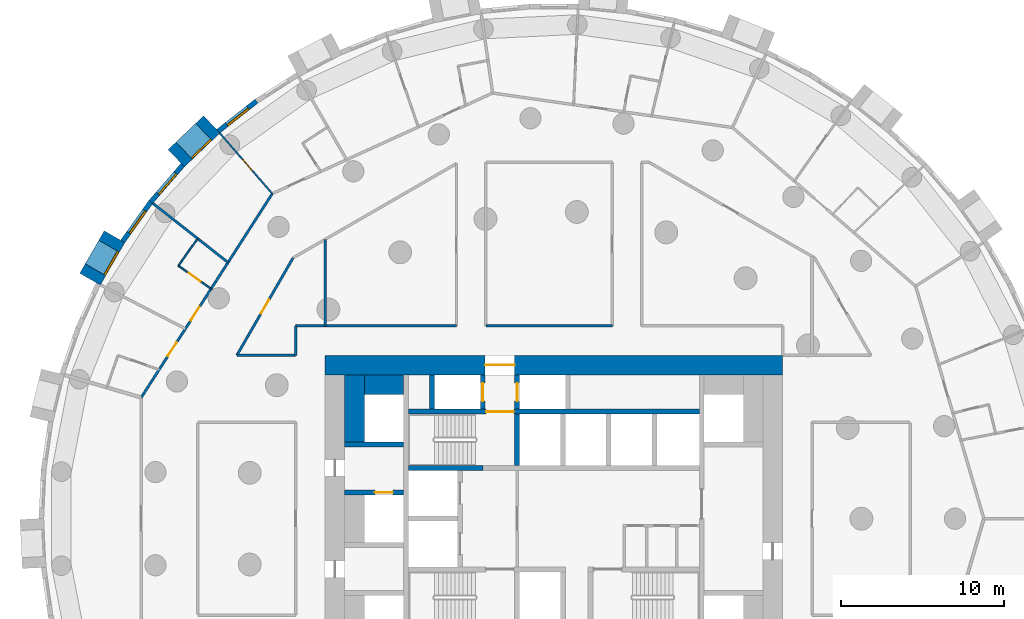
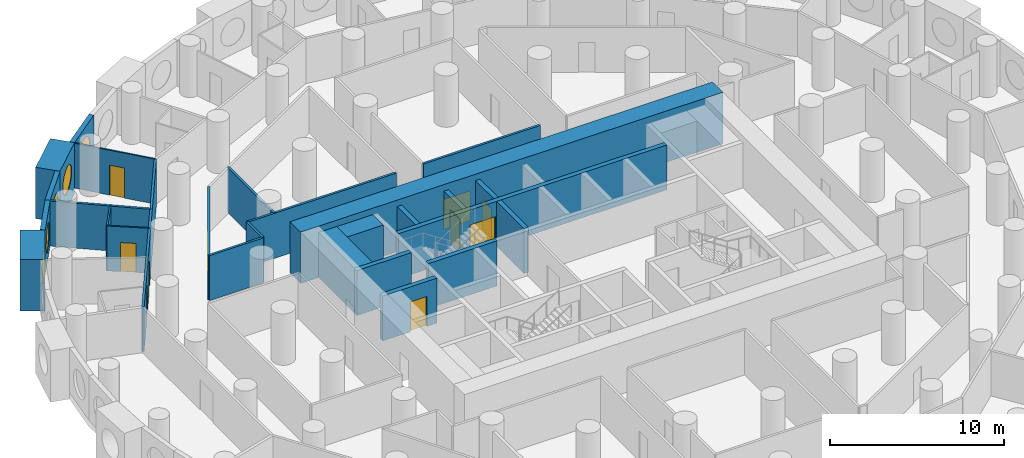
# One storey, part 7 of 12: 27 walls, 10 doors, 5 windows, 15 openings.
"""IFC4 building model written with IfcOpenShell, lengths in metres."""

from ifc_helpers import new_model, si_unit, direction, frame, frame_2d, origin, origin_2d, place, context, subcontext, project, spatial, rectangle, circle, extrude, material, layer, layer_set, type_object, element, fill, save


model = new_model("IFC4")

# Units and contexts
model_context = context("Model", 3, precision=1e-05, world=origin(), true_north=direction((0.0, 1.0)))
body_context = subcontext(model_context, "Body", "Model", "MODEL_VIEW")
ifc_project = project(units=[si_unit("LENGTHUNIT", "METRE"), si_unit("AREAUNIT", "SQUARE_METRE"), si_unit("VOLUMEUNIT", "CUBIC_METRE"), si_unit("PLANEANGLEUNIT", "RADIAN"), si_unit("MASSUNIT", "GRAM", prefix="KILO")], contexts=[model_context])

# Site, building, storey
site_placement = place(None, origin())
site = spatial("IfcSite", under=ifc_project, at=site_placement, CompositionType="ELEMENT")
building_placement = place(site_placement, origin())
building = spatial("IfcBuilding", under=site, at=building_placement, Name="Tracery Tower", CompositionType="ELEMENT")
storey_placement = place(building_placement, frame((0.0, 0.0, 85.800048828125)))
storey = spatial("IfcBuildingStorey", under=building, at=storey_placement, Name="L21", CompositionType="ELEMENT", Elevation=85.800048828125)

# Walls
ifc_material_1 = material(Name="Concrete C60/75", Category="concrete")
ifc_layer_1 = layer(ifc_material_1, 1.199951171875)
ifc_layer_set_1 = layer_set([ifc_layer_1], Name="Core strip wall 1200 C60")
wall_type_1 = type_object("IfcWallType", Name="Core strip wall 1200 C60", PredefinedType="SOLIDWALL", material=ifc_layer_set_1)
wall_1_placement = place(storey_placement, frame((-12.199951171875, 4.699951171875, 0.0), z_axis=(0.0, 0.0, 1.0), x_axis=(0.0, 1.0, 0.0)))
element("IfcWall", 1, at=wall_1_placement, inside=storey, type_object=wall_type_1, Name="L21 wing strip -1 4.55", PredefinedType="SOLIDWALL", context=body_context, shape_type="SweptSolid", body=[
    extrude(rectangle(XDim=4.10009765625, YDim=1.199951171875, at=frame_2d((2.050048828125, 0.0))), origin(), (0.0, 0.0, 1.0), 3.14990234375),
])
wall_2_placement = place(storey_placement, frame((-11.60009765625, 8.199951171875, 0.0), z_axis=(0.0, 0.0, 1.0), x_axis=(1.0, 0.0, 0.0)))
element("IfcWall", 2, at=wall_2_placement, inside=storey, type_object=wall_type_1, Name="L21 wing corner -1 +8.2", PredefinedType="SOLIDWALL", context=body_context, shape_type="SweptSolid", body=[
    extrude(rectangle(XDim=2.400146484375, YDim=1.199951171875, at=frame_2d((1.2001953125, 0.0))), origin(), (0.0, 0.0, 1.0), 3.14990234375),
])

# Wall, opening, door
ifc_material_2 = material(Name="Concrete C60/75", Category="concrete")
ifc_layer_2 = layer(ifc_material_2, 1.199951171875)
ifc_layer_set_2 = layer_set([ifc_layer_2], Name="Core wall 1200 C60")
wall_type_2 = type_object("IfcWallType", Name="Core wall 1200 C60", PredefinedType="SOLIDWALL", material=ifc_layer_set_2)
wall_3_placement = place(storey_placement, frame((-14.0, 9.39990234375, 0.0), z_axis=(0.0, 0.0, 1.0), x_axis=(1.0, 0.0, 0.0)))
wall_3 = element("IfcWall", 3, at=wall_3_placement, inside=storey, type_object=wall_type_2, Name="L21 outer N", PredefinedType="SOLIDWALL", context=body_context, shape_type="SweptSolid", body=[
    extrude(rectangle(XDim=28.0, YDim=1.199951171875, at=frame_2d((14.0, 0.0))), origin(), (0.0, 0.0, 1.0), 3.599853515625),
])
opening_1_placement = place(wall_3_placement, frame((9.800048828125, 0.0, 0.0)))
opening_1 = element("IfcOpeningElement", 4, at=opening_1_placement, cuts=wall_3, Name="Opening KD13", PredefinedType="OPENING", context=body_context, shape_type="SweptSolid", body=[
    extrude(rectangle(XDim=1.800048828125, YDim=2.10009765625, at=frame_2d((0.89990234375, 1.050048828125))), frame((0.0, 0.60009765625, 0.0), z_axis=(0.0, -1.0, 0.0), x_axis=(1.0, 0.0, 0.0)), (0.0, 0.0, 1.0), 1.199951171875),
])
ifc_material_3 = material(Name="Steel fire door", Category="steel")
door_type_1 = type_object("IfcDoorType", Name="Core exit door 1800 double", OperationType="NOTDEFINED", PredefinedType="DOOR", material=ifc_material_3)
door_1_placement = place(opening_1_placement, origin())
door_1 = element("IfcDoor", 5, at=door_1_placement, inside=storey, type_object=door_type_1, Name="Core exit door", OperationType="DOUBLE_DOOR_SINGLE_SWING", OverallHeight=2.10009765625, OverallWidth=1.800048828125, PredefinedType="DOOR", context=body_context, shape_type="SweptSolid", body=[
    extrude(rectangle(XDim=1.800048828125, YDim=2.10009765625, at=frame_2d((0.89990234375, 1.050048828125))), frame((0.0, 0.02490234375, 0.0), z_axis=(0.0, -1.0, 0.0), x_axis=(1.0, 0.0, 0.0)), (0.0, 0.0, 1.0), 0.050048828125),
])
fill(opening_1, door_1)

# Wall, opening, window
ifc_material_4 = material(Name="Precast concrete C50/60", Category="concrete")
ifc_layer_3 = layer(ifc_material_4, 1.449951171875)
ifc_layer_set_3 = layer_set([ifc_layer_3], Name="Deep-set bay unit 3000 x 3600, slab edge 450")
wall_type_3 = type_object("IfcWallType", Name="Deep-set bay unit 3000 x 3600, slab edge 450", PredefinedType="ELEMENTEDWALL", material=ifc_layer_set_3)
wall_4_placement = place(storey_placement, frame((-20.9375, 24.13232421875, -0.449951171875), z_axis=(0.0, 0.0, 1.0), x_axis=(-0.723712023899, -0.690102098579, 0.0)))
wall_4 = element("IfcWall", 6, at=wall_4_placement, inside=storey, type_object=wall_type_3, Name="Deep-set bay unit 25 at L21", PredefinedType="ELEMENTEDWALL", context=body_context, shape_type="SweptSolid", body=[
    extrude(rectangle(XDim=3.0, YDim=1.449951171875, at=frame_2d((1.5, 0.0))), origin(), (0.0, 0.0, 1.0), 3.599853515625),
])
opening_2_placement = place(wall_4_placement, frame((1.5, 0.0, 2.0)))
opening_2 = element("IfcOpeningElement", 7, at=opening_2_placement, cuts=wall_4, Name="Opening WN1", PredefinedType="OPENING", context=body_context, shape_type="SweptSolid", body=[
    extrude(circle(Radius=0.9000244140625, at=origin_2d()), frame((0.0, 0.73486328125, 0.0), z_axis=(0.0, -1.0, 0.0), x_axis=(1.0, 0.0, 0.0)), (0.0, 0.0, 1.0), 1.469970703125),
])
ifc_material_5 = material(Name="Aluminium frame with tinted double glazing", Category="aluminium")
window_type = type_object("IfcWindowType", Name="Round window 1800", PartitioningType="SINGLE_PANEL", PredefinedType="WINDOW", material=ifc_material_5)
window_1_placement = place(opening_2_placement, origin())
window_1 = element("IfcWindow", 8, at=window_1_placement, inside=storey, type_object=window_type, Name="Round window 25 at L21", OverallHeight=1.800048828125, OverallWidth=1.800048828125, PartitioningType="SINGLE_PANEL", PredefinedType="WINDOW", context=body_context, shape_type="SweptSolid", body=[
    extrude(circle(Radius=0.9000244140625, at=origin_2d()), frame((0.0, 0.69482421875, 0.0), z_axis=(0.0, -1.0, 0.0), x_axis=(1.0, 0.0, 0.0)), (0.0, 0.0, 1.0), 0.10009765625),
])
fill(opening_2, window_1)

wall_5_placement = place(storey_placement, frame((-26.88818359375, 17.256103515625, -0.449951171875), z_axis=(0.0, 0.0, 1.0), x_axis=(-0.499990139034, -0.866031096941, 0.0)))
wall_5 = element("IfcWall", 9, at=wall_5_placement, inside=storey, type_object=wall_type_3, Name="Deep-set bay unit 28 at L21", PredefinedType="ELEMENTEDWALL", context=body_context, shape_type="SweptSolid", body=[
    extrude(rectangle(XDim=3.0, YDim=1.449951171875, at=frame_2d((1.5, 0.0))), origin(), (0.0, 0.0, 1.0), 3.599853515625),
])
opening_3_placement = place(wall_5_placement, frame((1.5, 0.0, 2.0)))
opening_3 = element("IfcOpeningElement", 10, at=opening_3_placement, cuts=wall_5, Name="Opening WN1", PredefinedType="OPENING", context=body_context, shape_type="SweptSolid", body=[
    extrude(circle(Radius=0.9000244140625, at=origin_2d()), frame((0.0, 0.73486328125, 0.0), z_axis=(0.0, -1.0, 0.0), x_axis=(1.0, 0.0, 0.0)), (0.0, 0.0, 1.0), 1.469970703125),
])
window_2_placement = place(opening_3_placement, origin())
window_2 = element("IfcWindow", 11, at=window_2_placement, inside=storey, type_object=window_type, Name="Round window 28 at L21", OverallHeight=1.800048828125, OverallWidth=1.800048828125, PartitioningType="SINGLE_PANEL", PredefinedType="WINDOW", context=body_context, shape_type="SweptSolid", body=[
    extrude(circle(Radius=0.9000244140625, at=origin_2d()), frame((0.0, 0.69482421875, 0.0), z_axis=(0.0, -1.0, 0.0), x_axis=(1.0, 0.0, 0.0)), (0.0, 0.0, 1.0), 0.10009765625),
])
fill(opening_3, window_2)

ifc_material_6 = material(Name="Precast concrete C50/60", Category="concrete")
ifc_layer_4 = layer(ifc_material_6, 0.300048828125)
ifc_layer_set_4 = layer_set([ifc_layer_4], Name="Facade panel 3000 x 3150")
wall_type_4 = type_object("IfcWallType", Name="Facade panel 3000 x 3150", PredefinedType="SOLIDWALL", material=ifc_layer_set_4)
wall_6_placement = place(storey_placement, frame((-18.198974609375, 25.556884765625, 0.0), z_axis=(0.0, 0.0, 1.0), x_axis=(-0.786053834673, -0.618158045322, 0.0)))
wall_6 = element("IfcWall", 12, at=wall_6_placement, inside=storey, type_object=wall_type_4, Name="Facade panel 24 at L21", PredefinedType="SOLIDWALL", context=body_context, shape_type="SweptSolid", body=[
    extrude(rectangle(XDim=2.9794921875, YDim=0.300048828125, at=frame_2d((1.48974609375, 0.0))), origin(), (0.0, 0.0, 1.0), 3.14990234375),
])
opening_4_placement = place(wall_6_placement, frame((1.48974609375, 0.0, 1.5498046875)))
opening_4 = element("IfcOpeningElement", 13, at=opening_4_placement, cuts=wall_6, Name="Opening WN1", PredefinedType="OPENING", context=body_context, shape_type="SweptSolid", body=[
    extrude(circle(Radius=0.9000244140625, at=origin_2d()), frame((0.0, 0.159912109375, 0.0), z_axis=(0.0, -1.0, 0.0), x_axis=(1.0, 0.0, 0.0)), (0.0, 0.0, 1.0), 0.320068359375),
])
window_3_placement = place(opening_4_placement, origin())
window_3 = element("IfcWindow", 14, at=window_3_placement, inside=storey, type_object=window_type, Name="Round window 24 at L21", OverallHeight=1.800048828125, OverallWidth=1.800048828125, PartitioningType="SINGLE_PANEL", PredefinedType="WINDOW", context=body_context, shape_type="SweptSolid", body=[
    extrude(circle(Radius=0.9000244140625, at=origin_2d()), frame((0.0, 0.1201171875, 0.0), z_axis=(0.0, -1.0, 0.0), x_axis=(1.0, 0.0, 0.0)), (0.0, 0.0, 1.0), 0.10009765625),
])
fill(opening_4, window_3)

wall_7_placement = place(storey_placement, frame((-22.710693359375, 21.646240234375, 0.0), z_axis=(0.0, 0.0, 1.0), x_axis=(-0.654830712471, -0.755775587066, 0.0)))
wall_7 = element("IfcWall", 15, at=wall_7_placement, inside=storey, type_object=wall_type_4, Name="Facade panel 26 at L21", PredefinedType="SOLIDWALL", context=body_context, shape_type="SweptSolid", body=[
    extrude(rectangle(XDim=2.979736328125, YDim=0.300048828125, at=frame_2d((1.48974609375, 0.0))), origin(), (0.0, 0.0, 1.0), 3.14990234375),
])
opening_5_placement = place(wall_7_placement, frame((1.48974609375, 0.0, 1.5498046875)))
opening_5 = element("IfcOpeningElement", 16, at=opening_5_placement, cuts=wall_7, Name="Opening WN1", PredefinedType="OPENING", context=body_context, shape_type="SweptSolid", body=[
    extrude(circle(Radius=0.9000244140625, at=origin_2d()), frame((0.0, 0.159912109375, 0.0), z_axis=(0.0, -1.0, 0.0), x_axis=(1.0, 0.0, 0.0)), (0.0, 0.0, 1.0), 0.320068359375),
])
window_4_placement = place(opening_5_placement, origin())
window_4 = element("IfcWindow", 17, at=window_4_placement, inside=storey, type_object=window_type, Name="Round window 26 at L21", OverallHeight=1.800048828125, OverallWidth=1.800048828125, PartitioningType="SINGLE_PANEL", PredefinedType="WINDOW", context=body_context, shape_type="SweptSolid", body=[
    extrude(circle(Radius=0.9000244140625, at=origin_2d()), frame((0.0, 0.1201171875, 0.0), z_axis=(0.0, -1.0, 0.0), x_axis=(1.0, 0.0, 0.0)), (0.0, 0.0, 1.0), 0.10009765625),
])
fill(opening_5, window_4)

wall_8_placement = place(storey_placement, frame((-24.661865234375, 19.394287109375, 0.0), z_axis=(0.0, 0.0, 1.0), x_axis=(-0.580113774115, -0.814535456, 0.0)))
wall_8 = element("IfcWall", 18, at=wall_8_placement, inside=storey, type_object=wall_type_4, Name="Facade panel 27 at L21", PredefinedType="SOLIDWALL", context=body_context, shape_type="SweptSolid", body=[
    extrude(rectangle(XDim=2.979736328125, YDim=0.300048828125, at=frame_2d((1.48974609375, 0.0))), origin(), (0.0, 0.0, 1.0), 3.14990234375),
])
opening_6_placement = place(wall_8_placement, frame((1.48974609375, 0.0, 1.5498046875)))
opening_6 = element("IfcOpeningElement", 19, at=opening_6_placement, cuts=wall_8, Name="Opening WN1", PredefinedType="OPENING", context=body_context, shape_type="SweptSolid", body=[
    extrude(circle(Radius=0.9000244140625, at=origin_2d()), frame((0.0, 0.159912109375, 0.0), z_axis=(0.0, -1.0, 0.0), x_axis=(1.0, 0.0, 0.0)), (0.0, 0.0, 1.0), 0.320068359375),
])
window_5_placement = place(opening_6_placement, origin())
window_5 = element("IfcWindow", 20, at=window_5_placement, inside=storey, type_object=window_type, Name="Round window 27 at L21", OverallHeight=1.800048828125, OverallWidth=1.800048828125, PartitioningType="SINGLE_PANEL", PredefinedType="WINDOW", context=body_context, shape_type="SweptSolid", body=[
    extrude(circle(Radius=0.9000244140625, at=origin_2d()), frame((0.0, 0.1201171875, 0.0), z_axis=(0.0, -1.0, 0.0), x_axis=(1.0, 0.0, 0.0)), (0.0, 0.0, 1.0), 0.10009765625),
])
fill(opening_6, window_5)

# Wall, opening, door
ifc_material_7 = material(Name="Plasterboard on steel studs", Category="steel")
ifc_layer_5 = layer(ifc_material_7, 0.10009765625)
ifc_layer_set_5 = layer_set([ifc_layer_5], Name="Partition 100 stud")
wall_type_5 = type_object("IfcWallType", Name="Partition 100 stud", PredefinedType="PARTITIONING", material=ifc_layer_set_5)
wall_9_placement = place(storey_placement, frame((-20.447998046875, 23.597900390625, 0.0), z_axis=(0.0, 0.0, 1.0), x_axis=(0.654847179409, -0.755761319214, 0.0)))
wall_9 = element("IfcWall", 21, at=wall_9_placement, inside=storey, type_object=wall_type_5, Name="Stud partition RA6-081", PredefinedType="PARTITIONING", context=body_context, shape_type="SweptSolid", body=[
    extrude(rectangle(XDim=4.90625, YDim=0.10009765625, at=frame_2d((2.453125, 0.0))), origin(), (0.0, 0.0, 1.0), 3.14990234375),
])
opening_7_placement = place(wall_9_placement, frame((2.1533203125, 0.0, 0.0)))
opening_7 = element("IfcOpeningElement", 22, at=opening_7_placement, cuts=wall_9, Name="Opening RA6-28", PredefinedType="OPENING", context=body_context, shape_type="SweptSolid", body=[
    extrude(rectangle(XDim=0.89990234375, YDim=2.10009765625, at=frame_2d((0.449951171875, 1.050048828125))), frame((0.0, 0.050048828125, 0.0), z_axis=(0.0, -1.0, 0.0), x_axis=(1.0, 0.0, 0.0)), (0.0, 0.0, 1.0), 0.10009765625),
])
ifc_material_8 = material(Name="Timber door leaf", Category="wood")
door_type_2 = type_object("IfcDoorType", Name="Door bedroom 900", OperationType="NOTDEFINED", PredefinedType="DOOR", material=ifc_material_8)
door_2_placement = place(opening_7_placement, origin())
door_2 = element("IfcDoor", 23, at=door_2_placement, inside=storey, type_object=door_type_2, Name="Bedroom door RA6-28", OperationType="SINGLE_SWING_LEFT", OverallHeight=2.10009765625, OverallWidth=0.89990234375, PredefinedType="DOOR", context=body_context, shape_type="SweptSolid", body=[
    extrude(rectangle(XDim=0.89990234375, YDim=2.10009765625, at=frame_2d((0.449951171875, 1.050048828125))), frame((0.0, 0.02490234375, 0.0), z_axis=(0.0, -1.0, 0.0), x_axis=(1.0, 0.0, 0.0)), (0.0, 0.0, 1.0), 0.050048828125),
])
fill(opening_7, door_2)

# Wall
ifc_material_9 = material(Name="Plasterboard on steel studs", Category="steel")
ifc_layer_6 = layer(ifc_material_9, 0.10009765625)
ifc_layer_set_6 = layer_set([ifc_layer_6], Name="Partition 100 wet wall")
wall_type_6 = type_object("IfcWallType", Name="Partition 100 wet wall", PredefinedType="PARTITIONING", material=ifc_layer_set_6)
wall_10_placement = place(storey_placement, frame((-22.97802734375, 15.486083984375, 0.0), z_axis=(0.0, 0.0, 1.0), x_axis=(0.580283748447, 0.814414373208, 0.0)))
element("IfcWall", 24, at=wall_10_placement, inside=storey, type_object=wall_type_6, Name="Wet wall RA6-085", PredefinedType="PARTITIONING", context=body_context, shape_type="SweptSolid", body=[
    extrude(rectangle(XDim=2.033447265625, YDim=0.10009765625, at=frame_2d((1.0166015625, 0.0))), origin(), (0.0, 0.0, 1.0), 3.14990234375),
])

# Wall, opening, door
wall_11_placement = place(storey_placement, frame((-22.97802734375, 15.486083984375, 0.0), z_axis=(0.0, 0.0, 1.0), x_axis=(0.814519517834, -0.580136152181, 0.0)))
wall_11 = element("IfcWall", 25, at=wall_11_placement, inside=storey, type_object=wall_type_6, Name="Wet wall RA6-086", PredefinedType="PARTITIONING", context=body_context, shape_type="SweptSolid", body=[
    extrude(rectangle(XDim=2.453125, YDim=0.10009765625, at=frame_2d((1.2265625, 0.0))), origin(), (0.0, 0.0, 1.0), 3.14990234375),
])
opening_8_placement = place(wall_11_placement, frame((0.77587890625, 0.0, 0.0)))
opening_8 = element("IfcOpeningElement", 26, at=opening_8_placement, cuts=wall_11, Name="Opening RA6-31", PredefinedType="OPENING", context=body_context, shape_type="SweptSolid", body=[
    extrude(rectangle(XDim=0.89990234375, YDim=2.0400390625, at=frame_2d((0.449951171875, 1.02001953125))), frame((0.0, 0.050048828125, 0.0), z_axis=(0.0, -1.0, 0.0), x_axis=(1.0, 0.0, 0.0)), (0.0, 0.0, 1.0), 0.10009765625),
])
ifc_material_10 = material(Name="Timber door leaf", Category="wood")
door_type_3 = type_object("IfcDoorType", Name="Door en-suite 900", OperationType="NOTDEFINED", PredefinedType="DOOR", material=ifc_material_10)
door_3_placement = place(opening_8_placement, origin())
door_3 = element("IfcDoor", 27, at=door_3_placement, inside=storey, type_object=door_type_3, Name="En-suite door RA6-31", OperationType="SINGLE_SWING_LEFT", OverallHeight=2.0400390625, OverallWidth=0.89990234375, PredefinedType="DOOR", context=body_context, shape_type="SweptSolid", body=[
    extrude(rectangle(XDim=0.89990234375, YDim=2.0400390625, at=frame_2d((0.449951171875, 1.02001953125))), frame((0.0, 0.02490234375, 0.0), z_axis=(0.0, -1.0, 0.0), x_axis=(1.0, 0.0, 0.0)), (0.0, 0.0, 1.0), 0.050048828125),
])
fill(opening_8, door_3)

# Walls
ifc_material_11 = material(Name="Plasterboard on steel studs", Category="steel")
ifc_layer_7 = layer(ifc_material_11, 0.14990234375)
ifc_layer_set_7 = layer_set([ifc_layer_7], Name="Partition 150 acoustic unit wall")
wall_type_7 = type_object("IfcWallType", Name="Partition 150 acoustic unit wall", PredefinedType="PARTITIONING", material=ifc_layer_set_7)
wall_12_placement = place(storey_placement, frame((-14.0, 11.800048828125, 0.0), z_axis=(0.0, 0.0, 1.0), x_axis=(0.0, 1.0, 0.0)))
element("IfcWall", 28, at=wall_12_placement, inside=storey, type_object=wall_type_7, Name="Unit wall RA6-054", PredefinedType="PARTITIONING", context=body_context, shape_type="SweptSolid", body=[
    extrude(rectangle(XDim=5.2919921875, YDim=0.14990234375, at=frame_2d((2.64599609375, 0.0))), origin(), (0.0, 0.0, 1.0), 3.14990234375),
])
wall_13_placement = place(storey_placement, frame((-24.5439453125, 19.302001953125, 0.0), z_axis=(0.0, 0.0, 1.0), x_axis=(0.786034767432, -0.618182290581, 0.0)))
element("IfcWall", 29, at=wall_13_placement, inside=storey, type_object=wall_type_7, Name="Unit wall RA6-084", PredefinedType="PARTITIONING", context=body_context, shape_type="SweptSolid", body=[
    extrude(rectangle(XDim=5.857177734375, YDim=0.14990234375, at=frame_2d((2.9287109375, 0.0))), origin(), (0.0, 0.0, 1.0), 3.14990234375),
])
ifc_material_12 = material(Name="Plasterboard on steel studs", Category="steel")
ifc_layer_8 = layer(ifc_material_12, 0.14990234375)
ifc_layer_set_8 = layer_set([ifc_layer_8], Name="Partition 150 corridor wall")
wall_type_8 = type_object("IfcWallType", Name="Partition 150 corridor wall", PredefinedType="PARTITIONING", material=ifc_layer_set_8)
wall_14_placement = place(storey_placement, frame((-15.800048828125, 11.800048828125, 0.0), z_axis=(0.0, 0.0, 1.0), x_axis=(1.0, 0.0, 0.0)))
element("IfcWall", 30, at=wall_14_placement, inside=storey, type_object=wall_type_8, Name="Corridor wall RA6-001", PredefinedType="PARTITIONING", context=body_context, shape_type="SweptSolid", body=[
    extrude(rectangle(XDim=9.843994140625, YDim=0.14990234375, at=frame_2d((4.921875, 0.0))), origin(), (0.0, 0.0, 1.0), 3.14990234375),
])
wall_15_placement = place(storey_placement, frame((-4.1640625, 11.800048828125, 0.0), z_axis=(0.0, 0.0, 1.0), x_axis=(1.0, 0.0, 0.0)))
element("IfcWall", 31, at=wall_15_placement, inside=storey, type_object=wall_type_8, Name="Corridor wall RA6-002", PredefinedType="PARTITIONING", context=body_context, shape_type="SweptSolid", body=[
    extrude(rectangle(XDim=7.744140625, YDim=0.14990234375, at=frame_2d((3.8720703125, 0.0))), origin(), (0.0, 0.0, 1.0), 3.14990234375),
])
wall_16_placement = place(storey_placement, frame((-15.800048828125, 10.0, 0.0), z_axis=(0.0, 0.0, 1.0), x_axis=(0.0, 1.0, 0.0)))
element("IfcWall", 32, at=wall_16_placement, inside=storey, type_object=wall_type_8, Name="Corridor wall RA6-005", PredefinedType="PARTITIONING", context=body_context, shape_type="SweptSolid", body=[
    extrude(rectangle(XDim=1.800048828125, YDim=0.14990234375, at=frame_2d((0.89990234375, 0.0))), origin(), (0.0, 0.0, 1.0), 3.14990234375),
])

# Wall, openings, doors
wall_17_placement = place(storey_placement, frame((-25.2548828125, 7.416259765625, 0.0), z_axis=(0.0, 0.0, 1.0), x_axis=(0.540805851332, 0.841147449123, 0.0)))
wall_17 = element("IfcWall", 33, at=wall_17_placement, inside=storey, type_object=wall_type_8, Name="Corridor wall RA6-034", PredefinedType="PARTITIONING", context=body_context, shape_type="SweptSolid", body=[
    extrude(rectangle(XDim=14.829345703125, YDim=0.14990234375, at=frame_2d((7.41455078125, 0.0))), origin(), (0.0, 0.0, 1.0), 3.14990234375),
])
opening_9_placement = place(wall_17_placement, frame((5.602783203125, 0.0, 0.0)))
opening_9 = element("IfcOpeningElement", 34, at=opening_9_placement, cuts=wall_17, Name="Opening RA6-32", PredefinedType="OPENING", context=body_context, shape_type="SweptSolid", body=[
    extrude(rectangle(XDim=1.0, YDim=2.10009765625, at=frame_2d((0.5, 1.050048828125))), frame((0.0, 0.074951171875, 0.0), z_axis=(0.0, -1.0, 0.0), x_axis=(1.0, 0.0, 0.0)), (0.0, 0.0, 1.0), 0.14990234375),
])
opening_10_placement = place(wall_17_placement, frame((3.0126953125, 0.0, 0.0)))
opening_10 = element("IfcOpeningElement", 35, at=opening_10_placement, cuts=wall_17, Name="Opening RA6-34", PredefinedType="OPENING", context=body_context, shape_type="SweptSolid", body=[
    extrude(rectangle(XDim=1.0, YDim=2.10009765625, at=frame_2d((0.5, 1.050048828125))), frame((0.0, 0.074951171875, 0.0), z_axis=(0.0, -1.0, 0.0), x_axis=(1.0, 0.0, 0.0)), (0.0, 0.0, 1.0), 0.14990234375),
])
ifc_material_13 = material(Name="Timber door leaf", Category="wood")
door_type_4 = type_object("IfcDoorType", Name="Door unit entrance 1000", OperationType="NOTDEFINED", PredefinedType="DOOR", material=ifc_material_13)
door_4_placement = place(opening_9_placement, origin())
door_4 = element("IfcDoor", 36, at=door_4_placement, inside=storey, type_object=door_type_4, Name="Unit entrance door RA6-32", OperationType="SINGLE_SWING_LEFT", OverallHeight=2.10009765625, OverallWidth=1.0, PredefinedType="DOOR", context=body_context, shape_type="SweptSolid", body=[
    extrude(rectangle(XDim=1.0, YDim=2.10009765625, at=frame_2d((0.5, 1.050048828125))), frame((0.0, 0.02490234375, 0.0), z_axis=(0.0, -1.0, 0.0), x_axis=(1.0, 0.0, 0.0)), (0.0, 0.0, 1.0), 0.050048828125),
])
fill(opening_9, door_4)
door_5_placement = place(opening_10_placement, origin())
door_5 = element("IfcDoor", 37, at=door_5_placement, inside=storey, type_object=door_type_4, Name="Unit entrance door RA6-34", OperationType="SINGLE_SWING_LEFT", OverallHeight=2.10009765625, OverallWidth=1.0, PredefinedType="DOOR", context=body_context, shape_type="SweptSolid", body=[
    extrude(rectangle(XDim=1.0, YDim=2.10009765625, at=frame_2d((0.5, 1.050048828125))), frame((0.0, 0.02490234375, 0.0), z_axis=(0.0, -1.0, 0.0), x_axis=(1.0, 0.0, 0.0)), (0.0, 0.0, 1.0), 0.050048828125),
])
fill(opening_10, door_5)

# Wall, opening, door
wall_18_placement = place(storey_placement, frame((-19.40087890625, 10.0, 0.0), z_axis=(0.0, 0.0, 1.0), x_axis=(0.499992689227, 0.86602962462, 0.0)))
wall_18 = element("IfcWall", 38, at=wall_18_placement, inside=storey, type_object=wall_type_8, Name="Corridor wall RA6-040", PredefinedType="PARTITIONING", context=body_context, shape_type="SweptSolid", body=[
    extrude(rectangle(XDim=6.8818359375, YDim=0.14990234375, at=frame_2d((3.44091796875, 0.0))), origin(), (0.0, 0.0, 1.0), 3.14990234375),
])
opening_11_placement = place(wall_18_placement, frame((2.94091796875, 0.0, 0.0)))
opening_11 = element("IfcOpeningElement", 39, at=opening_11_placement, cuts=wall_18, Name="Opening RA6-11", PredefinedType="OPENING", context=body_context, shape_type="SweptSolid", body=[
    extrude(rectangle(XDim=1.0, YDim=2.0400390625, at=frame_2d((0.5, 1.02001953125))), frame((0.0, 0.074951171875, 0.0), z_axis=(0.0, -1.0, 0.0), x_axis=(1.0, 0.0, 0.0)), (0.0, 0.0, 1.0), 0.14990234375),
])
ifc_material_14 = material(Name="Timber door leaf", Category="wood")
door_type_5 = type_object("IfcDoorType", Name="Door communal room 1000", OperationType="NOTDEFINED", PredefinedType="DOOR", material=ifc_material_14)
door_6_placement = place(opening_11_placement, origin())
door_6 = element("IfcDoor", 40, at=door_6_placement, inside=storey, type_object=door_type_5, Name="Communal room door RA6-11", OperationType="SINGLE_SWING_LEFT", OverallHeight=2.0400390625, OverallWidth=1.0, PredefinedType="DOOR", context=body_context, shape_type="SweptSolid", body=[
    extrude(rectangle(XDim=1.0, YDim=2.0400390625, at=frame_2d((0.5, 1.02001953125))), frame((0.0, 0.02490234375, 0.0), z_axis=(0.0, -1.0, 0.0), x_axis=(1.0, 0.0, 0.0)), (0.0, 0.0, 1.0), 0.050048828125),
])
fill(opening_11, door_6)

# Walls
wall_19_placement = place(storey_placement, frame((-19.40087890625, 10.0, 0.0), z_axis=(0.0, 0.0, 1.0), x_axis=(1.0, 0.0, 0.0)))
element("IfcWall", 41, at=wall_19_placement, inside=storey, type_object=wall_type_8, Name="Corridor wall RA6-041", PredefinedType="PARTITIONING", context=body_context, shape_type="SweptSolid", body=[
    extrude(rectangle(XDim=3.600830078125, YDim=0.14990234375, at=frame_2d((1.80029296875, 0.0))), origin(), (0.0, 0.0, 1.0), 3.14990234375),
])
ifc_material_15 = material(Name="Concrete C60/75", Category="concrete")
ifc_layer_9 = layer(ifc_material_15, 0.300048828125)
ifc_layer_set_9 = layer_set([ifc_layer_9], Name="Shaft wall 300 C60")
wall_type_9 = type_object("IfcWallType", Name="Shaft wall 300 C60", PredefinedType="SOLIDWALL", material=ifc_layer_set_9)
wall_20_placement = place(storey_placement, frame((-7.449951171875, 6.699951171875, 0.0), z_axis=(0.0, 0.0, 1.0), x_axis=(0.0, 1.0, 0.0)))
element("IfcWall", 42, at=wall_20_placement, inside=storey, type_object=wall_type_9, Name="L21 LR sep -7.45", PredefinedType="SOLIDWALL", context=body_context, shape_type="SweptSolid", body=[
    extrude(rectangle(XDim=2.10009765625, YDim=0.300048828125, at=frame_2d((1.050048828125, 0.0))), origin(), (0.0, 0.0, 1.0), 3.14990234375),
])

# Wall, opening, door
wall_21_placement = place(storey_placement, frame((-4.35009765625, 6.699951171875, 0.0), z_axis=(0.0, 0.0, 1.0), x_axis=(0.0, 1.0, 0.0)))
wall_21 = element("IfcWall", 43, at=wall_21_placement, inside=storey, type_object=wall_type_9, Name="L21 LR sep -4.35", PredefinedType="SOLIDWALL", context=body_context, shape_type="SweptSolid", body=[
    extrude(rectangle(XDim=2.10009765625, YDim=0.300048828125, at=frame_2d((1.050048828125, 0.0))), origin(), (0.0, 0.0, 1.0), 3.14990234375),
])
opening_12_placement = place(wall_21_placement, frame((0.5, 0.0, 0.0)))
opening_12 = element("IfcOpeningElement", 44, at=opening_12_placement, cuts=wall_21, Name="Opening KD50", PredefinedType="OPENING", context=body_context, shape_type="SweptSolid", body=[
    extrude(rectangle(XDim=1.10009765625, YDim=2.10009765625, at=frame_2d((0.550048828125, 1.050048828125))), frame((0.0, 0.14990234375, 0.0), z_axis=(0.0, -1.0, 0.0), x_axis=(1.0, 0.0, 0.0)), (0.0, 0.0, 1.0), 0.300048828125),
])
ifc_material_16 = material(Name="Steel fire door", Category="steel")
door_type_6 = type_object("IfcDoorType", Name="Landing door 1100", OperationType="NOTDEFINED", PredefinedType="DOOR", material=ifc_material_16)
door_7_placement = place(opening_12_placement, origin())
door_7 = element("IfcDoor", 45, at=door_7_placement, inside=storey, type_object=door_type_6, Name="Landing door LR3", OperationType="SLIDING_TO_RIGHT", OverallHeight=2.10009765625, OverallWidth=1.10009765625, PredefinedType="DOOR", context=body_context, shape_type="SweptSolid", body=[
    extrude(rectangle(XDim=1.10009765625, YDim=2.10009765625, at=frame_2d((0.550048828125, 1.050048828125))), frame((0.0, 0.02490234375, 0.0), z_axis=(0.0, -1.0, 0.0), x_axis=(1.0, 0.0, 0.0)), (0.0, 0.0, 1.0), 0.050048828125),
])
fill(opening_12, door_7)

# Wall
wall_22_placement = place(storey_placement, frame((-12.800048828125, 4.550048828125, 0.0), z_axis=(0.0, 0.0, 1.0), x_axis=(1.0, 0.0, 0.0)))
element("IfcWall", 46, at=wall_22_placement, inside=storey, type_object=wall_type_9, Name="L21 wing shaft wall -1 +4.55", PredefinedType="SOLIDWALL", context=body_context, shape_type="SweptSolid", body=[
    extrude(rectangle(XDim=3.60009765625, YDim=0.300048828125, at=frame_2d((1.800048828125, 0.0))), origin(), (0.0, 0.0, 1.0), 3.14990234375),
])

# Wall, opening, door
wall_23_placement = place(storey_placement, frame((-12.800048828125, 1.60009765625, 0.0), z_axis=(0.0, 0.0, 1.0), x_axis=(1.0, 0.0, 0.0)))
wall_23 = element("IfcWall", 47, at=wall_23_placement, inside=storey, type_object=wall_type_9, Name="L21 wing shaft wall -1 +1.60", PredefinedType="SOLIDWALL", context=body_context, shape_type="SweptSolid", body=[
    extrude(rectangle(XDim=3.60009765625, YDim=0.300048828125, at=frame_2d((1.800048828125, 0.0))), origin(), (0.0, 0.0, 1.0), 3.14990234375),
])
opening_13_placement = place(wall_23_placement, frame((1.85009765625, 0.0, 0.0)))
opening_13 = element("IfcOpeningElement", 48, at=opening_13_placement, cuts=wall_23, Name="Opening KD50", PredefinedType="OPENING", context=body_context, shape_type="SweptSolid", body=[
    extrude(rectangle(XDim=1.10009765625, YDim=2.10009765625, at=frame_2d((0.550048828125, 1.050048828125))), frame((0.0, 0.14990234375, 0.0), z_axis=(0.0, -1.0, 0.0), x_axis=(1.0, 0.0, 0.0)), (0.0, 0.0, 1.0), 0.300048828125),
])
door_8_placement = place(opening_13_placement, origin())
door_8 = element("IfcDoor", 49, at=door_8_placement, inside=storey, type_object=door_type_6, Name="Landing door LR1", OperationType="SLIDING_TO_RIGHT", OverallHeight=2.10009765625, OverallWidth=1.10009765625, PredefinedType="DOOR", context=body_context, shape_type="SweptSolid", body=[
    extrude(rectangle(XDim=1.10009765625, YDim=2.10009765625, at=frame_2d((0.550048828125, 1.050048828125))), frame((0.0, 0.02490234375, 0.0), z_axis=(0.0, -1.0, 0.0), x_axis=(1.0, 0.0, 0.0)), (0.0, 0.0, 1.0), 0.050048828125),
])
fill(opening_13, door_8)

# Walls
ifc_material_17 = material(Name="Concrete C60/75", Category="concrete")
ifc_layer_10 = layer(ifc_material_17, 0.300048828125)
ifc_layer_set_10 = layer_set([ifc_layer_10], Name="Stair wall 300 C60")
wall_type_10 = type_object("IfcWallType", Name="Stair wall 300 C60", PredefinedType="SOLIDWALL", material=ifc_layer_set_10)
wall_24_placement = place(storey_placement, frame((-8.89990234375, 3.10009765625, 0.0), z_axis=(0.0, 0.0, 1.0), x_axis=(1.0, 0.0, 0.0)))
element("IfcWall", 50, at=wall_24_placement, inside=storey, type_object=wall_type_10, Name="L21 row N W", PredefinedType="SOLIDWALL", context=body_context, shape_type="SweptSolid", body=[
    extrude(rectangle(XDim=4.5498046875, YDim=0.300048828125, at=frame_2d((2.27490234375, 0.0))), origin(), (0.0, 0.0, 1.0), 3.14990234375),
])
wall_25_placement = place(storey_placement, frame((-2.25, 3.25, 0.0), z_axis=(0.0, 0.0, 1.0), x_axis=(0.0, 1.0, 0.0)))
element("IfcWall", 51, at=wall_25_placement, inside=storey, type_object=wall_type_10, Name="L21 ST3 E", PredefinedType="SOLIDWALL", context=body_context, shape_type="SweptSolid", body=[
    extrude(rectangle(XDim=3.14990234375, YDim=0.300048828125, at=frame_2d((1.574951171875, 0.0))), origin(), (0.0, 0.0, 1.0), 3.14990234375),
])

# Wall, opening, door
wall_26_placement = place(storey_placement, frame((-8.89990234375, 6.550048828125, 0.0), z_axis=(0.0, 0.0, 1.0), x_axis=(1.0, 0.0, 0.0)))
wall_26 = element("IfcWall", 52, at=wall_26_placement, inside=storey, type_object=wall_type_10, Name="L21 F N", PredefinedType="SOLIDWALL", context=body_context, shape_type="SweptSolid", body=[
    extrude(rectangle(XDim=17.7998046875, YDim=0.300048828125, at=frame_2d((8.89990234375, 0.0))), origin(), (0.0, 0.0, 1.0), 3.14990234375),
])
opening_14_placement = place(wall_26_placement, frame((4.75, 0.0, 0.0)))
opening_14 = element("IfcOpeningElement", 53, at=opening_14_placement, cuts=wall_26, Name="Opening KD3", PredefinedType="OPENING", context=body_context, shape_type="SweptSolid", body=[
    extrude(rectangle(XDim=1.699951171875, YDim=2.10009765625, at=frame_2d((0.85009765625, 1.050048828125))), frame((0.0, 0.14990234375, 0.0), z_axis=(0.0, -1.0, 0.0), x_axis=(1.0, 0.0, 0.0)), (0.0, 0.0, 1.0), 0.300048828125),
])
ifc_material_18 = material(Name="Steel fire door", Category="steel")
door_type_7 = type_object("IfcDoorType", Name="Core stair door 1700 double", OperationType="NOTDEFINED", PredefinedType="DOOR", material=ifc_material_18)
door_9_placement = place(opening_14_placement, origin())
door_9 = element("IfcDoor", 54, at=door_9_placement, inside=storey, type_object=door_type_7, Name="Stair door ST3 N", OperationType="DOUBLE_DOOR_SINGLE_SWING", OverallHeight=2.10009765625, OverallWidth=1.699951171875, PredefinedType="DOOR", context=body_context, shape_type="SweptSolid", body=[
    extrude(rectangle(XDim=1.699951171875, YDim=2.10009765625, at=frame_2d((0.85009765625, 1.050048828125))), frame((0.0, 0.02490234375, 0.0), z_axis=(0.0, -1.0, 0.0), x_axis=(1.0, 0.0, 0.0)), (0.0, 0.0, 1.0), 0.050048828125),
])
fill(opening_14, door_9)

wall_27_placement = place(storey_placement, frame((-2.25, 6.699951171875, 0.0), z_axis=(0.0, 0.0, 1.0), x_axis=(0.0, 1.0, 0.0)))
wall_27 = element("IfcWall", 55, at=wall_27_placement, inside=storey, type_object=wall_type_10, Name="L21 ST3 E out", PredefinedType="SOLIDWALL", context=body_context, shape_type="SweptSolid", body=[
    extrude(rectangle(XDim=2.10009765625, YDim=0.300048828125, at=frame_2d((1.050048828125, 0.0))), origin(), (0.0, 0.0, 1.0), 3.14990234375),
])
opening_15_placement = place(wall_27_placement, frame((0.5, 0.0, 0.0)))
opening_15 = element("IfcOpeningElement", 56, at=opening_15_placement, cuts=wall_27, Name="Opening KD49", PredefinedType="OPENING", context=body_context, shape_type="SweptSolid", body=[
    extrude(rectangle(XDim=1.10009765625, YDim=2.10009765625, at=frame_2d((0.550048828125, 1.050048828125))), frame((0.0, 0.14990234375, 0.0), z_axis=(0.0, -1.0, 0.0), x_axis=(1.0, 0.0, 0.0)), (0.0, 0.0, 1.0), 0.300048828125),
])
door_10_placement = place(opening_15_placement, origin())
door_10 = element("IfcDoor", 57, at=door_10_placement, inside=storey, type_object=door_type_6, Name="Landing door LR2", OperationType="SLIDING_TO_LEFT", OverallHeight=2.10009765625, OverallWidth=1.10009765625, PredefinedType="DOOR", context=body_context, shape_type="SweptSolid", body=[
    extrude(rectangle(XDim=1.10009765625, YDim=2.10009765625, at=frame_2d((0.550048828125, 1.050048828125))), frame((0.0, 0.02490234375, 0.0), z_axis=(0.0, -1.0, 0.0), x_axis=(1.0, 0.0, 0.0)), (0.0, 0.0, 1.0), 0.050048828125),
])
fill(opening_15, door_10)

save(model, "model.ifc")
